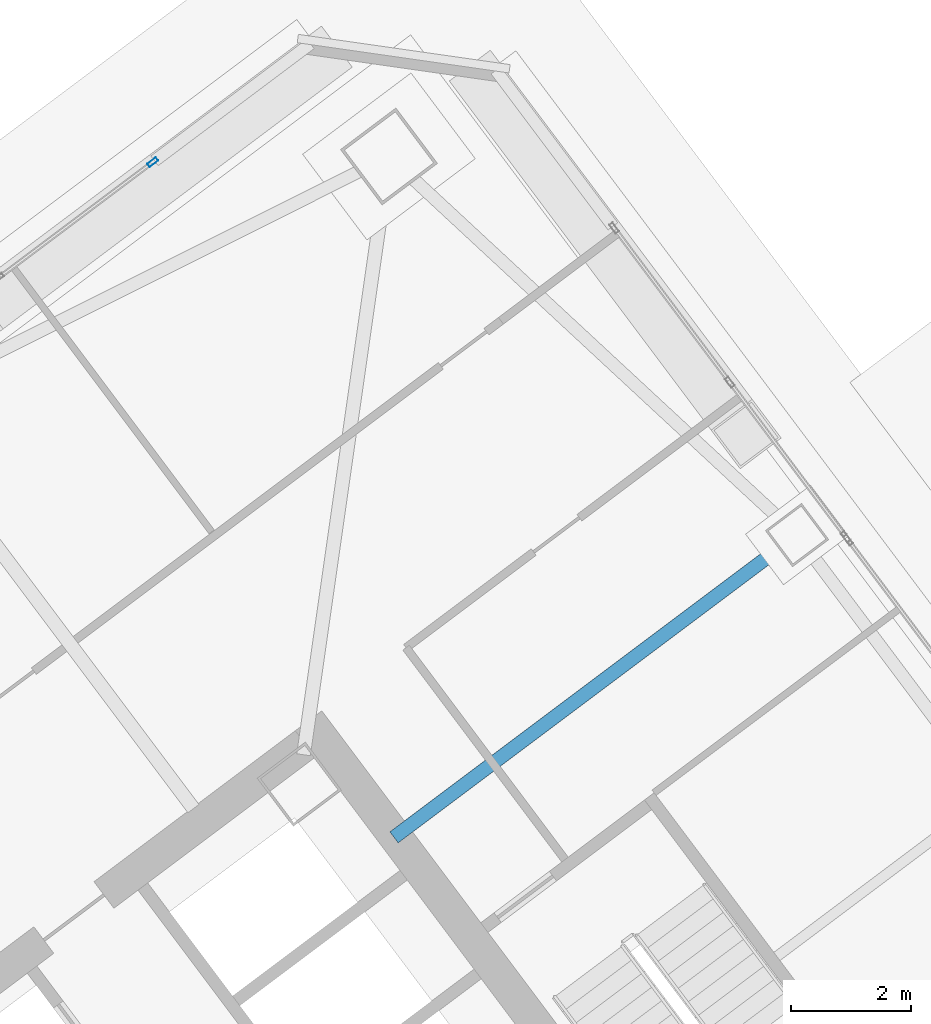
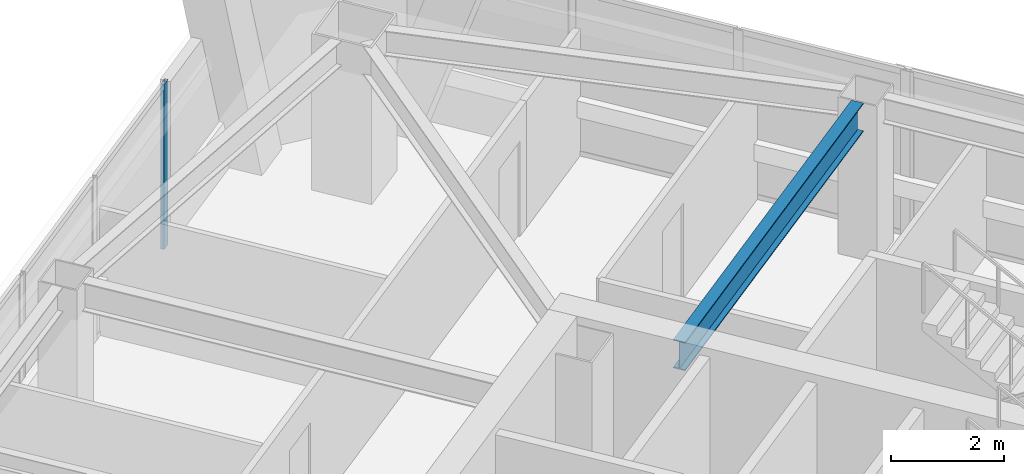
# One storey, part 48 of 65: 1 beam, 1 member, 1 element without a shape of its own.
"""IFC4 building model written with IfcOpenShell, lengths in metres."""

from ifc_helpers import new_model, si_unit, direction, frame, origin, origin_2d, place, context, subcontext, project, spatial, hollow_rectangle, i_section, extrude, material, material_profile, profile_set, type_object, element, aggregate, save


model = new_model("IFC4")

# Units and contexts
model_context = context("Model", 3, precision=1e-05, world=origin(), true_north=direction((0.0, 1.0)))
body_context = subcontext(model_context, "Body", "Model", "MODEL_VIEW")
ifc_project = project(units=[si_unit("LENGTHUNIT", "METRE"), si_unit("AREAUNIT", "SQUARE_METRE"), si_unit("VOLUMEUNIT", "CUBIC_METRE"), si_unit("PLANEANGLEUNIT", "RADIAN"), si_unit("MASSUNIT", "GRAM", prefix="KILO")], contexts=[model_context])

# Site, building, storey
site_placement = place(None, origin())
site = spatial("IfcSite", under=ifc_project, at=site_placement, CompositionType="ELEMENT")
building_placement = place(site_placement, origin())
building = spatial("IfcBuilding", under=site, at=building_placement, Name="Tashvorn Skyway Center", CompositionType="ELEMENT")
storey_placement = place(building_placement, frame((0.0, 0.0, 157.0)))
storey = spatial("IfcBuildingStorey", under=building, at=storey_placement, Name="L42", CompositionType="ELEMENT", Elevation=157.0)

# Beam
ifc_material_1 = material(Name="Steel ASTM A992 Grade 50", Category="steel")
ifc_material_profile_1 = material_profile(ifc_material_1, i_section(OverallWidth=0.22998046875, OverallDepth=0.616943359375, WebThickness=0.01318359375, FlangeThickness=0.022216796875, at=origin_2d()), Name="W24X94")
ifc_profile_set_1 = profile_set([ifc_material_profile_1], Name="Steel ASTM A992 Grade 50")
beam_type = type_object("IfcBeamType", Name="BM-BEAM-W24X94", PredefinedType="BEAM", material=ifc_profile_set_1)
beam_placement = place(storey_placement, frame((123.384033203125, 45.7880859375, 3.0615234375), z_axis=(-0.800003662027, -0.599995117266, 0.0), x_axis=(0.599995117266, -0.800003662027, 0.0)))
element("IfcBeam", 1, at=beam_placement, inside=storey, type_object=beam_type, Name="Tower 2 L42 Primary Floor Girder FC-E2", PredefinedType="BEAM", context=body_context, shape_type="SweptSolid", body=[
    extrude(i_section(OverallWidth=0.22998046875, OverallDepth=0.616943359375, WebThickness=0.01318359375, FlangeThickness=0.022216796875, at=origin_2d()), origin(), (0.0, 0.0, 1.0), 8.000244140625),
])

# Curtain wall, member
ifc_material_2 = material(Name="Thermally broken bronze-anodized aluminium 6063-T6", Category="aluminium")
curtain_wall_type = type_object("IfcCurtainWallType", Name="CW-CW-Z4", PredefinedType="NOTDEFINED", material=ifc_material_2)
curtain_wall_placement = place(storey_placement, origin())
curtain_wall = element("IfcCurtainWall", 2, at=curtain_wall_placement, inside=storey, type_object=curtain_wall_type, Name="Tower 2 L42 North Unitised Curtain Wall Glazing Group 3", PredefinedType="NOTDEFINED")
ifc_material_profile_2 = material_profile(ifc_material_2, hollow_rectangle(XDim=0.070068359375, YDim=0.179931640625, WallThickness=0.00390625, at=origin_2d()), Name="ALU-MULL-70x180")
ifc_profile_set_2 = profile_set([ifc_material_profile_2], Name="Thermally broken bronze-anodized aluminium 6063-T6")
member_type = type_object("IfcMemberType", Name="CWM-CW-Z4", PredefinedType="MULLION", material=ifc_profile_set_2)
member_placement = place(storey_placement, frame((112.97607421875, 52.20703125, 0.0), z_axis=(0.0, 0.0, 1.0), x_axis=(-0.600000000002, 0.799999999998, 0.0)))
member = element("IfcMember", 3, at=member_placement, type_object=member_type, Name="CW-Z4 mullion 3", PredefinedType="MULLION", context=body_context, shape_type="SweptSolid", body=[
    extrude(hollow_rectangle(XDim=0.070068359375, YDim=0.179931640625, WallThickness=0.00390625, at=origin_2d()), origin(), (0.0, 0.0, 1.0), 3.550048828125),
])
aggregate(curtain_wall, [member])

save(model, "model.ifc")
